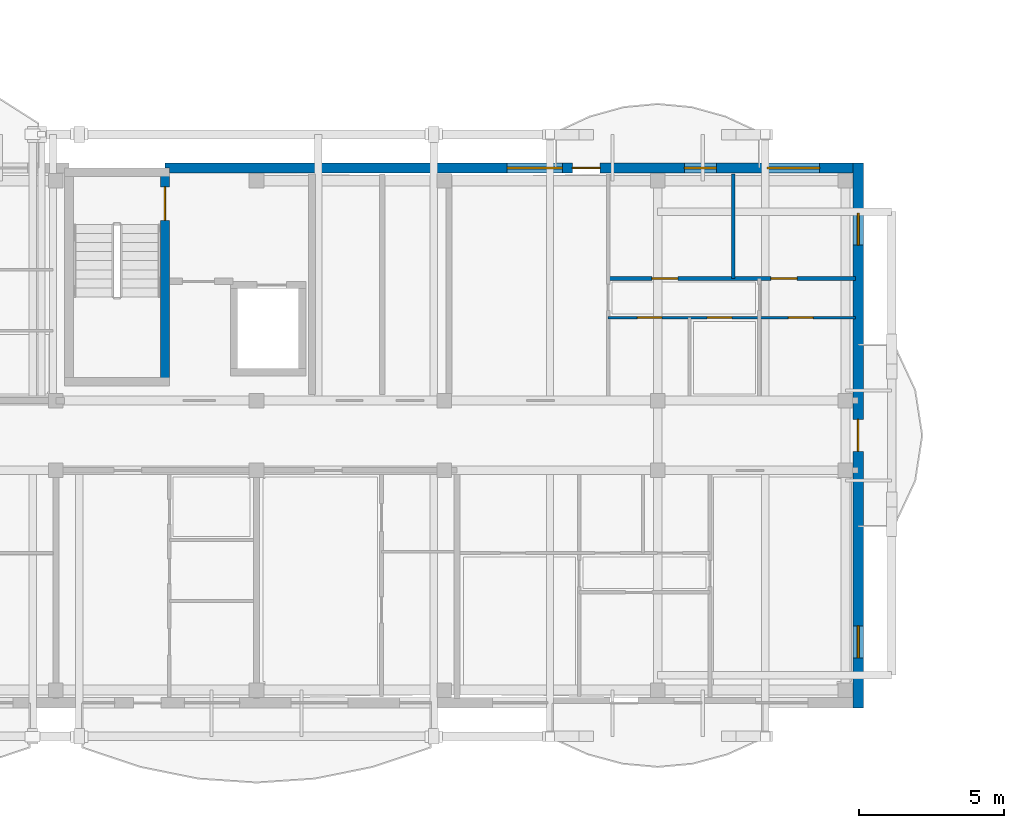
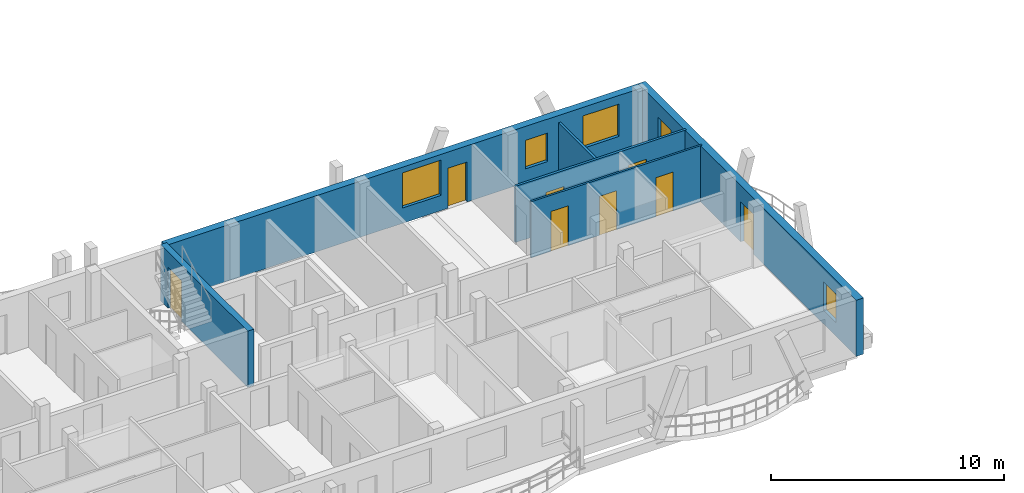
# One storey, part 18 of 42: 8 doors, 6 walls, 5 windows, 13 openings.
"""IFC4 building model written with IfcOpenShell, lengths in metres."""

from ifc_helpers import new_model, si_unit, direction, frame, frame_2d, origin, origin_with_axes, place, context, subcontext, project, spatial, rectangle, extrude, material, layer, layer_set, type_object, element, fill, save


model = new_model("IFC4")

# Units and contexts
model_context = context("Model", 3, precision=1e-05, world=origin(), true_north=direction((0.0, 1.0)))
body_context = subcontext(model_context, "Body", "Model", "MODEL_VIEW")
ifc_project = project(units=[si_unit("LENGTHUNIT", "METRE"), si_unit("AREAUNIT", "SQUARE_METRE"), si_unit("VOLUMEUNIT", "CUBIC_METRE"), si_unit("PLANEANGLEUNIT", "RADIAN"), si_unit("MASSUNIT", "GRAM", prefix="KILO")], contexts=[model_context])

# Site, building, storey
site_placement = place(None, origin())
site = spatial("IfcSite", under=ifc_project, at=site_placement, CompositionType="ELEMENT")
building_placement = place(site_placement, origin())
building = spatial("IfcBuilding", under=site, at=building_placement, Name="Zavelmont Quarter", CompositionType="ELEMENT")
storey_placement = place(building_placement, frame((0.0, 0.0, 24.0)))
storey = spatial("IfcBuildingStorey", under=building, at=storey_placement, Name="L07", CompositionType="ELEMENT", Elevation=24.0)

# Wall, openings, door, windows
ifc_material_1 = material(Name="Natural Belgian limestone", Category="masonry")
ifc_layer_1 = layer(ifc_material_1, 0.360107421875)
ifc_layer_set_1 = layer_set([ifc_layer_1], Name="Natural Belgian limestone")
wall_type_1 = type_object("IfcWallType", Name="EW02", PredefinedType="STANDARD", material=ifc_layer_set_1)
wall_1_placement = place(storey_placement, frame((31.35009765625, 18.39990234375, 0.0), z_axis=(0.0, 0.0, 1.0), x_axis=(1.0, 0.0, 0.0)))
wall_1 = element("IfcWall", 1, at=wall_1_placement, inside=storey, type_object=wall_type_1, Name="L07 exterior limestone wall EW02", PredefinedType="STANDARD", context=body_context, shape_type="SweptSolid", body=[
    extrude(rectangle(XDim=23.679931640625, YDim=0.360107421875, at=frame_2d((11.83984375, 0.0))), origin(), (0.0, 0.0, 1.0), 2.949951171875),
])
opening_1_placement = place(wall_1_placement, frame((14.017578125, 0.0, 0.0)))
opening_1 = element("IfcOpeningElement", 2, at=opening_1_placement, cuts=wall_1, Name="Opening DR04", PredefinedType="OPENING", context=body_context, shape_type="SweptSolid", body=[
    extrude(rectangle(XDim=0.949951171875, YDim=2.10009765625, at=frame_2d((0.47509765625, 1.050048828125))), frame((0.0, 0.19189453125, 0.0), z_axis=(0.0, -1.0, 0.0), x_axis=(1.0, 0.0, 0.0)), (0.0, 0.0, 1.0), 0.384033203125),
])
opening_2_placement = place(wall_1_placement, frame((11.77001953125, 0.0, 0.800048828125)))
opening_2 = element("IfcOpeningElement", 3, at=opening_2_placement, cuts=wall_1, Name="Opening WN20", PredefinedType="OPENING", context=body_context, shape_type="SweptSolid", body=[
    extrude(rectangle(XDim=1.89990234375, YDim=1.85009765625, at=frame_2d((0.949951171875, 0.925048828125))), frame((0.0, 0.19189453125, 0.0), z_axis=(0.0, -1.0, 0.0), x_axis=(1.0, 0.0, 0.0)), (0.0, 0.0, 1.0), 0.384033203125),
])
opening_3_placement = place(wall_1_placement, frame((17.8701171875, 0.0, 0.719970703125)))
opening_3 = element("IfcOpeningElement", 4, at=opening_3_placement, cuts=wall_1, Name="Opening WN09", PredefinedType="OPENING", context=body_context, shape_type="SweptSolid", body=[
    extrude(rectangle(XDim=1.10009765625, YDim=1.5, at=frame_2d((0.550048828125, 0.75))), frame((0.0, 0.19189453125, 0.0), z_axis=(0.0, -1.0, 0.0), x_axis=(1.0, 0.0, 0.0)), (0.0, 0.0, 1.0), 0.384033203125),
])
opening_4_placement = place(wall_1_placement, frame((20.719970703125, 0.0, 0.800048828125)))
opening_4 = element("IfcOpeningElement", 5, at=opening_4_placement, cuts=wall_1, Name="Opening WN02", PredefinedType="OPENING", context=body_context, shape_type="SweptSolid", body=[
    extrude(rectangle(XDim=1.800048828125, YDim=1.699951171875, at=frame_2d((0.89990234375, 0.85009765625))), frame((0.0, 0.19189453125, 0.0), z_axis=(0.0, -1.0, 0.0), x_axis=(1.0, 0.0, 0.0)), (0.0, 0.0, 1.0), 0.384033203125),
])
ifc_material_2 = material(Name="Thermally broken aluminium and double safety glass", Category="aluminium")
door_type_1 = type_object("IfcDoorType", Name="DR04", OperationType="NOTDEFINED", PredefinedType="DOOR", material=ifc_material_2)
door_1_placement = place(opening_1_placement, frame((0.949951171875, 0.0, 0.0), z_axis=(0.0, 0.0, 1.0), x_axis=(-1.0, 0.0, 0.0)))
door_1 = element("IfcDoor", 6, at=door_1_placement, inside=storey, type_object=door_type_1, Name="Block A L07 glazed balcony door", OperationType="SINGLE_SWING_LEFT", OverallHeight=2.10009765625, OverallWidth=0.949951171875, PredefinedType="DOOR", context=body_context, shape_type="SweptSolid", body=[
    extrude(rectangle(XDim=0.949951171875, YDim=2.10009765625, at=frame_2d((0.47509765625, 1.050048828125))), frame((0.0, 0.02490234375, 0.0), z_axis=(0.0, -1.0, 0.0), x_axis=(1.0, 0.0, 0.0)), (0.0, 0.0, 1.0), 0.050048828125),
])
fill(opening_1, door_1)
ifc_material_3 = material(Name="Double low-E insulated glazing in thermally broken aluminium frame", Category="aluminium")
window_type_1 = type_object("IfcWindowType", Name="WN02", PartitioningType="SINGLE_PANEL", PredefinedType="WINDOW", material=ifc_material_3)
window_1_placement = place(opening_4_placement, origin_with_axes())
window_1 = element("IfcWindow", 7, at=window_1_placement, inside=storey, type_object=window_type_1, Name="L07 window WN02", OverallHeight=1.699951171875, OverallWidth=1.800048828125, PartitioningType="SINGLE_PANEL", PredefinedType="WINDOW", context=body_context, shape_type="SweptSolid", body=[
    extrude(rectangle(XDim=1.800048828125, YDim=1.699951171875, at=frame_2d((0.89990234375, 0.85009765625))), frame((0.0, 0.030029296875, 0.0), z_axis=(0.0, -1.0, 0.0), x_axis=(1.0, 0.0, 0.0)), (0.0, 0.0, 1.0), 0.06005859375),
])
fill(opening_4, window_1)
window_type_2 = type_object("IfcWindowType", Name="WN09", PartitioningType="SINGLE_PANEL", PredefinedType="WINDOW", material=ifc_material_3)
window_2_placement = place(opening_3_placement, origin_with_axes())
window_2 = element("IfcWindow", 8, at=window_2_placement, inside=storey, type_object=window_type_2, Name="L07 window WN09", OverallHeight=1.5, OverallWidth=1.10009765625, PartitioningType="SINGLE_PANEL", PredefinedType="WINDOW", context=body_context, shape_type="SweptSolid", body=[
    extrude(rectangle(XDim=1.10009765625, YDim=1.5, at=frame_2d((0.550048828125, 0.75))), frame((0.0, 0.030029296875, 0.0), z_axis=(0.0, -1.0, 0.0), x_axis=(1.0, 0.0, 0.0)), (0.0, 0.0, 1.0), 0.06005859375),
])
fill(opening_3, window_2)
window_type_3 = type_object("IfcWindowType", Name="WN20", PartitioningType="SINGLE_PANEL", PredefinedType="WINDOW", material=ifc_material_3)
window_3_placement = place(opening_2_placement, origin_with_axes())
window_3 = element("IfcWindow", 9, at=window_3_placement, inside=storey, type_object=window_type_3, Name="L07 window WN20", OverallHeight=1.85009765625, OverallWidth=1.89990234375, PartitioningType="SINGLE_PANEL", PredefinedType="WINDOW", context=body_context, shape_type="SweptSolid", body=[
    extrude(rectangle(XDim=1.89990234375, YDim=1.85009765625, at=frame_2d((0.949951171875, 0.925048828125))), frame((0.0, 0.030029296875, 0.0), z_axis=(0.0, -1.0, 0.0), x_axis=(1.0, 0.0, 0.0)), (0.0, 0.0, 1.0), 0.06005859375),
])
fill(opening_2, window_3)

wall_2_placement = place(storey_placement, frame((55.199951171875, -0.179931640625, 0.0), z_axis=(0.0, 0.0, 1.0), x_axis=(0.0, 1.0, 0.0)))
wall_2 = element("IfcWall", 10, at=wall_2_placement, inside=storey, type_object=wall_type_1, Name="L07 exterior limestone wall EW02", PredefinedType="STANDARD", context=body_context, shape_type="SweptSolid", body=[
    extrude(rectangle(XDim=18.760009765625, YDim=0.360107421875, at=frame_2d((9.3798828125, 0.0))), origin(), (0.0, 0.0, 1.0), 2.949951171875),
])
opening_5_placement = place(wall_2_placement, frame((8.830078125, 0.0, 0.0)))
opening_5 = element("IfcOpeningElement", 11, at=opening_5_placement, cuts=wall_2, Name="Opening DR04B", PredefinedType="OPENING", context=body_context, shape_type="SweptSolid", body=[
    extrude(rectangle(XDim=1.10009765625, YDim=2.10009765625, at=frame_2d((0.550048828125, 1.050048828125))), frame((0.0, 0.19189453125, 0.0), z_axis=(0.0, -1.0, 0.0), x_axis=(1.0, 0.0, 0.0)), (0.0, 0.0, 1.0), 0.384033203125),
])
opening_6_placement = place(wall_2_placement, frame((1.72998046875, 0.0, 0.719970703125)))
opening_6 = element("IfcOpeningElement", 12, at=opening_6_placement, cuts=wall_2, Name="Opening WN09", PredefinedType="OPENING", context=body_context, shape_type="SweptSolid", body=[
    extrude(rectangle(XDim=1.10009765625, YDim=1.5, at=frame_2d((0.550048828125, 0.75))), frame((0.0, 0.19189453125, 0.0), z_axis=(0.0, -1.0, 0.0), x_axis=(1.0, 0.0, 0.0)), (0.0, 0.0, 1.0), 0.384033203125),
])
opening_7_placement = place(wall_2_placement, frame((15.929931640625, 0.0, 0.719970703125)))
opening_7 = element("IfcOpeningElement", 13, at=opening_7_placement, cuts=wall_2, Name="Opening WN09", PredefinedType="OPENING", context=body_context, shape_type="SweptSolid", body=[
    extrude(rectangle(XDim=1.10009765625, YDim=1.5, at=frame_2d((0.550048828125, 0.75))), frame((0.0, 0.19189453125, 0.0), z_axis=(0.0, -1.0, 0.0), x_axis=(1.0, 0.0, 0.0)), (0.0, 0.0, 1.0), 0.384033203125),
])
door_type_2 = type_object("IfcDoorType", Name="DR04B", OperationType="NOTDEFINED", PredefinedType="DOOR", material=ifc_material_2)
door_2_placement = place(opening_5_placement, origin_with_axes())
door_2 = element("IfcDoor", 14, at=door_2_placement, inside=storey, type_object=door_type_2, Name="Block A L07 terrace or vase balcony door", OperationType="SINGLE_SWING_LEFT", OverallHeight=2.10009765625, OverallWidth=1.10009765625, PredefinedType="DOOR", context=body_context, shape_type="SweptSolid", body=[
    extrude(rectangle(XDim=1.10009765625, YDim=2.10009765625, at=frame_2d((0.550048828125, 1.050048828125))), frame((0.0, 0.02490234375, 0.0), z_axis=(0.0, -1.0, 0.0), x_axis=(1.0, 0.0, 0.0)), (0.0, 0.0, 1.0), 0.050048828125),
])
fill(opening_5, door_2)
window_4_placement = place(opening_6_placement, origin_with_axes())
window_4 = element("IfcWindow", 15, at=window_4_placement, inside=storey, type_object=window_type_2, Name="L07 window WN09", OverallHeight=1.5, OverallWidth=1.10009765625, PartitioningType="SINGLE_PANEL", PredefinedType="WINDOW", context=body_context, shape_type="SweptSolid", body=[
    extrude(rectangle(XDim=1.10009765625, YDim=1.5, at=frame_2d((0.550048828125, 0.75))), frame((0.0, 0.030029296875, 0.0), z_axis=(0.0, -1.0, 0.0), x_axis=(1.0, 0.0, 0.0)), (0.0, 0.0, 1.0), 0.06005859375),
])
fill(opening_6, window_4)
window_5_placement = place(opening_7_placement, origin_with_axes())
window_5 = element("IfcWindow", 16, at=window_5_placement, inside=storey, type_object=window_type_2, Name="L07 window WN09", OverallHeight=1.5, OverallWidth=1.10009765625, PartitioningType="SINGLE_PANEL", PredefinedType="WINDOW", context=body_context, shape_type="SweptSolid", body=[
    extrude(rectangle(XDim=1.10009765625, YDim=1.5, at=frame_2d((0.550048828125, 0.75))), frame((0.0, 0.030029296875, 0.0), z_axis=(0.0, -1.0, 0.0), x_axis=(1.0, 0.0, 0.0)), (0.0, 0.0, 1.0), 0.06005859375),
])
fill(opening_7, window_5)

# Wall
ifc_material_4 = material(Name="Double gypsum board on acoustic steel stud", Category="steel")
ifc_layer_2 = layer(ifc_material_4, 0.125)
ifc_layer_set_2 = layer_set([ifc_layer_2], Name="Double gypsum board on acoustic steel stud")
wall_type_2 = type_object("IfcWallType", Name="IW03", PredefinedType="PARTITIONING", material=ifc_layer_set_2)
wall_3_placement = place(storey_placement, frame((50.89990234375, 14.60009765625, 0.0), z_axis=(0.0, 0.0, 1.0), x_axis=(0.0, 1.0, 0.0)))
element("IfcWall", 17, at=wall_3_placement, inside=storey, type_object=wall_type_2, Name="L07 Partition IW03", PredefinedType="PARTITIONING", context=body_context, shape_type="SweptSolid", body=[
    extrude(rectangle(XDim=3.599853515625, YDim=0.125, at=frame_2d((1.7998046875, 0.0))), origin(), (0.0, 0.0, 1.0), 2.590087890625),
])

# Wall, openings, doors
wall_4_placement = place(storey_placement, frame((46.60009765625, 14.60009765625, 0.0), z_axis=(0.0, 0.0, 1.0), x_axis=(1.0, 0.0, 0.0)))
wall_4 = element("IfcWall", 18, at=wall_4_placement, inside=storey, type_object=wall_type_2, Name="L07 Partition IW03", PredefinedType="PARTITIONING", context=body_context, shape_type="SweptSolid", body=[
    extrude(rectangle(XDim=8.5, YDim=0.125, at=frame_2d((4.25, 0.0))), origin(), (0.0, 0.0, 1.0), 2.949951171875),
])
opening_8_placement = place(wall_4_placement, frame((1.5, 0.0, 0.0)))
opening_8 = element("IfcOpeningElement", 19, at=opening_8_placement, cuts=wall_4, Name="Opening DR05", PredefinedType="OPENING", context=body_context, shape_type="SweptSolid", body=[
    extrude(rectangle(XDim=0.89990234375, YDim=2.10009765625, at=frame_2d((0.449951171875, 1.050048828125))), frame((0.0, 0.074462890625, 0.0), z_axis=(0.0, -1.0, 0.0), x_axis=(1.0, 0.0, 0.0)), (0.0, 0.0, 1.0), 0.14892578125),
])
opening_9_placement = place(wall_4_placement, frame((5.60009765625, 0.0, 0.0)))
opening_9 = element("IfcOpeningElement", 20, at=opening_9_placement, cuts=wall_4, Name="Opening DR05", PredefinedType="OPENING", context=body_context, shape_type="SweptSolid", body=[
    extrude(rectangle(XDim=0.89990234375, YDim=2.10009765625, at=frame_2d((0.449951171875, 1.050048828125))), frame((0.0, 0.074462890625, 0.0), z_axis=(0.0, -1.0, 0.0), x_axis=(1.0, 0.0, 0.0)), (0.0, 0.0, 1.0), 0.14892578125),
])
ifc_material_5 = material(Name="Engineered oak flush interior door")
door_type_3 = type_object("IfcDoorType", Name="DR05", OperationType="NOTDEFINED", PredefinedType="DOOR", material=ifc_material_5)
door_3_placement = place(opening_8_placement, origin_with_axes())
door_3 = element("IfcDoor", 21, at=door_3_placement, inside=storey, type_object=door_type_3, Name="L07 door DR05", OperationType="SINGLE_SWING_LEFT", OverallHeight=2.10009765625, OverallWidth=0.89990234375, PredefinedType="DOOR", context=body_context, shape_type="SweptSolid", body=[
    extrude(rectangle(XDim=0.89990234375, YDim=2.10009765625, at=frame_2d((0.449951171875, 1.050048828125))), frame((0.0, 0.02490234375, 0.0), z_axis=(0.0, -1.0, 0.0), x_axis=(1.0, 0.0, 0.0)), (0.0, 0.0, 1.0), 0.050048828125),
])
fill(opening_8, door_3)
door_4_placement = place(opening_9_placement, frame((0.89990234375, 0.0, 0.0), z_axis=(0.0, 0.0, 1.0), x_axis=(-1.0, 0.0, 0.0)))
door_4 = element("IfcDoor", 22, at=door_4_placement, inside=storey, type_object=door_type_3, Name="L07 door DR05", OperationType="SINGLE_SWING_RIGHT", OverallHeight=2.10009765625, OverallWidth=0.89990234375, PredefinedType="DOOR", context=body_context, shape_type="SweptSolid", body=[
    extrude(rectangle(XDim=0.89990234375, YDim=2.10009765625, at=frame_2d((0.449951171875, 1.050048828125))), frame((0.0, 0.02490234375, 0.0), z_axis=(0.0, -1.0, 0.0), x_axis=(1.0, 0.0, 0.0)), (0.0, 0.0, 1.0), 0.050048828125),
])
fill(opening_9, door_4)

ifc_material_6 = material(Name="Moisture-resistant gypsum board on steel stud", Category="steel")
ifc_layer_3 = layer(ifc_material_6, 0.10009765625)
ifc_layer_set_3 = layer_set([ifc_layer_3], Name="Moisture-resistant gypsum board on steel stud")
wall_type_3 = type_object("IfcWallType", Name="IW04", PredefinedType="PARTITIONING", material=ifc_layer_set_3)
wall_5_placement = place(storey_placement, frame((46.60009765625, 13.25, 0.0), z_axis=(0.0, 0.0, 1.0), x_axis=(1.0, 0.0, 0.0)))
wall_5 = element("IfcWall", 23, at=wall_5_placement, inside=storey, type_object=wall_type_3, Name="L07 Partition IW04", PredefinedType="PARTITIONING", context=body_context, shape_type="SweptSolid", body=[
    extrude(rectangle(XDim=8.5, YDim=0.10009765625, at=frame_2d((4.25, 0.0))), origin(), (0.0, 0.0, 1.0), 2.949951171875),
])
opening_10_placement = place(wall_5_placement, frame((1.0, 0.0, 0.0)))
opening_10 = element("IfcOpeningElement", 24, at=opening_10_placement, cuts=wall_5, Name="Opening DR16", PredefinedType="OPENING", context=body_context, shape_type="SweptSolid", body=[
    extrude(rectangle(XDim=0.85009765625, YDim=2.10009765625, at=frame_2d((0.425048828125, 1.050048828125))), frame((0.0, 0.06201171875, 0.0), z_axis=(0.0, -1.0, 0.0), x_axis=(1.0, 0.0, 0.0)), (0.0, 0.0, 1.0), 0.1240234375),
])
opening_11_placement = place(wall_5_placement, frame((3.39990234375, 0.0, 0.0)))
opening_11 = element("IfcOpeningElement", 25, at=opening_11_placement, cuts=wall_5, Name="Opening DR06", PredefinedType="OPENING", context=body_context, shape_type="SweptSolid", body=[
    extrude(rectangle(XDim=0.85009765625, YDim=2.050048828125, at=frame_2d((0.425048828125, 1.02490234375))), frame((0.0, 0.06201171875, 0.0), z_axis=(0.0, -1.0, 0.0), x_axis=(1.0, 0.0, 0.0)), (0.0, 0.0, 1.0), 0.1240234375),
])
opening_12_placement = place(wall_5_placement, frame((6.199951171875, 0.0, 0.0)))
opening_12 = element("IfcOpeningElement", 26, at=opening_12_placement, cuts=wall_5, Name="Opening DR06", PredefinedType="OPENING", context=body_context, shape_type="SweptSolid", body=[
    extrude(rectangle(XDim=0.85009765625, YDim=2.050048828125, at=frame_2d((0.425048828125, 1.02490234375))), frame((0.0, 0.06201171875, 0.0), z_axis=(0.0, -1.0, 0.0), x_axis=(1.0, 0.0, 0.0)), (0.0, 0.0, 1.0), 0.1240234375),
])
ifc_material_7 = material(Name="Moisture-resistant painted wet-room door")
door_type_4 = type_object("IfcDoorType", Name="DR06", OperationType="NOTDEFINED", PredefinedType="DOOR", material=ifc_material_7)
door_5_placement = place(opening_11_placement, origin_with_axes())
door_5 = element("IfcDoor", 27, at=door_5_placement, inside=storey, type_object=door_type_4, Name="L07 door DR06", OperationType="SINGLE_SWING_LEFT", OverallHeight=2.050048828125, OverallWidth=0.85009765625, PredefinedType="DOOR", context=body_context, shape_type="SweptSolid", body=[
    extrude(rectangle(XDim=0.85009765625, YDim=2.050048828125, at=frame_2d((0.425048828125, 1.02490234375))), frame((0.0, 0.02490234375, 0.0), z_axis=(0.0, -1.0, 0.0), x_axis=(1.0, 0.0, 0.0)), (0.0, 0.0, 1.0), 0.050048828125),
])
fill(opening_11, door_5)
door_6_placement = place(opening_12_placement, frame((0.85009765625, 0.0, 0.0), z_axis=(0.0, 0.0, 1.0), x_axis=(-1.0, 0.0, 0.0)))
door_6 = element("IfcDoor", 28, at=door_6_placement, inside=storey, type_object=door_type_4, Name="L07 door DR06", OperationType="SINGLE_SWING_RIGHT", OverallHeight=2.050048828125, OverallWidth=0.85009765625, PredefinedType="DOOR", context=body_context, shape_type="SweptSolid", body=[
    extrude(rectangle(XDim=0.85009765625, YDim=2.050048828125, at=frame_2d((0.425048828125, 1.02490234375))), frame((0.0, 0.02490234375, 0.0), z_axis=(0.0, -1.0, 0.0), x_axis=(1.0, 0.0, 0.0)), (0.0, 0.0, 1.0), 0.050048828125),
])
fill(opening_12, door_6)
door_type_5 = type_object("IfcDoorType", Name="DR16", OperationType="NOTDEFINED", PredefinedType="DOOR", material=ifc_material_5)
door_7_placement = place(opening_10_placement, frame((0.85009765625, 0.0, 0.0), z_axis=(0.0, 0.0, 1.0), x_axis=(-1.0, 0.0, 0.0)))
door_7 = element("IfcDoor", 29, at=door_7_placement, inside=storey, type_object=door_type_5, Name="L07 door DR16", OperationType="SINGLE_SWING_RIGHT", OverallHeight=2.10009765625, OverallWidth=0.85009765625, PredefinedType="DOOR", context=body_context, shape_type="SweptSolid", body=[
    extrude(rectangle(XDim=0.85009765625, YDim=2.10009765625, at=frame_2d((0.425048828125, 1.050048828125))), frame((0.0, 0.02490234375, 0.0), z_axis=(0.0, -1.0, 0.0), x_axis=(1.0, 0.0, 0.0)), (0.0, 0.0, 1.0), 0.050048828125),
])
fill(opening_10, door_7)

# Wall, opening, door
ifc_material_8 = material(Name="Concrete C40/50", Category="concrete")
ifc_layer_4 = layer(ifc_material_8, 0.300048828125)
ifc_layer_set_4 = layer_set([ifc_layer_4], Name="Concrete C40/50")
wall_type_4 = type_object("IfcWallType", Name="SW01", PredefinedType="SHEAR", material=ifc_layer_set_4)
wall_6_placement = place(storey_placement, frame((31.35009765625, 10.89990234375, 0.0), z_axis=(0.0, 0.0, 1.0), x_axis=(0.0, 1.0, 0.0)))
wall_6 = element("IfcWall", 30, at=wall_6_placement, inside=storey, type_object=wall_type_4, Name="L07 ST02 lobby shear wall SW01", PredefinedType="SHEAR", context=body_context, shape_type="SweptSolid", body=[
    extrude(rectangle(XDim=7.5, YDim=0.300048828125, at=frame_2d((3.75, 0.0))), origin(), (0.0, 0.0, 1.0), 2.949951171875),
])
opening_13_placement = place(wall_6_placement, frame((5.699951171875, 0.0, 0.0)))
opening_13 = element("IfcOpeningElement", 31, at=opening_13_placement, cuts=wall_6, Name="Opening DR09", PredefinedType="OPENING", context=body_context, shape_type="SweptSolid", body=[
    extrude(rectangle(XDim=1.14990234375, YDim=2.14990234375, at=frame_2d((0.574951171875, 1.074951171875))), frame((0.0, 0.162109375, 0.0), z_axis=(0.0, -1.0, 0.0), x_axis=(1.0, 0.0, 0.0)), (0.0, 0.0, 1.0), 0.323974609375),
])
ifc_material_9 = material(Name="Painted steel stair-core fire door", Category="steel")
door_type_6 = type_object("IfcDoorType", Name="DR09", OperationType="NOTDEFINED", PredefinedType="DOOR", material=ifc_material_9)
door_8_placement = place(opening_13_placement, origin_with_axes())
door_8 = element("IfcDoor", 32, at=door_8_placement, inside=storey, type_object=door_type_6, Name="ST02 protected stair door", OperationType="SINGLE_SWING_LEFT", OverallHeight=2.14990234375, OverallWidth=1.14990234375, PredefinedType="DOOR", context=body_context, shape_type="SweptSolid", body=[
    extrude(rectangle(XDim=1.14990234375, YDim=2.14990234375, at=frame_2d((0.574951171875, 1.074951171875))), frame((0.0, 0.02490234375, 0.0), z_axis=(0.0, -1.0, 0.0), x_axis=(1.0, 0.0, 0.0)), (0.0, 0.0, 1.0), 0.050048828125),
])
fill(opening_13, door_8)

save(model, "model.ifc")
